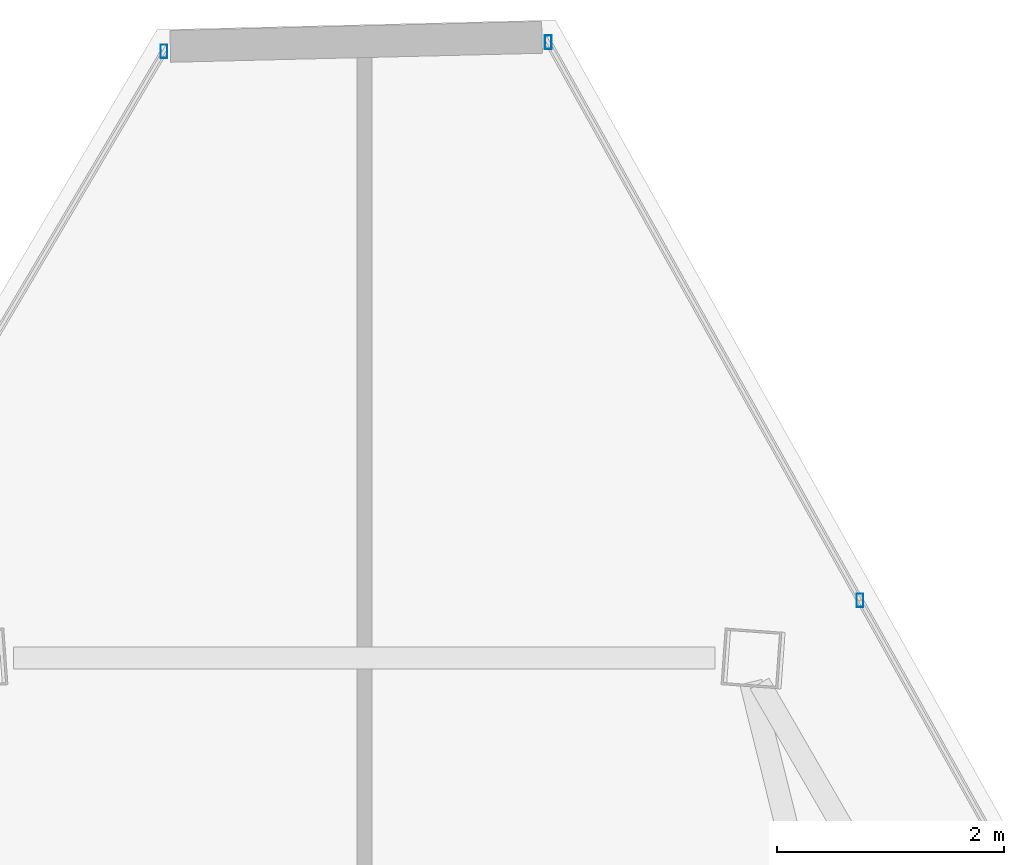
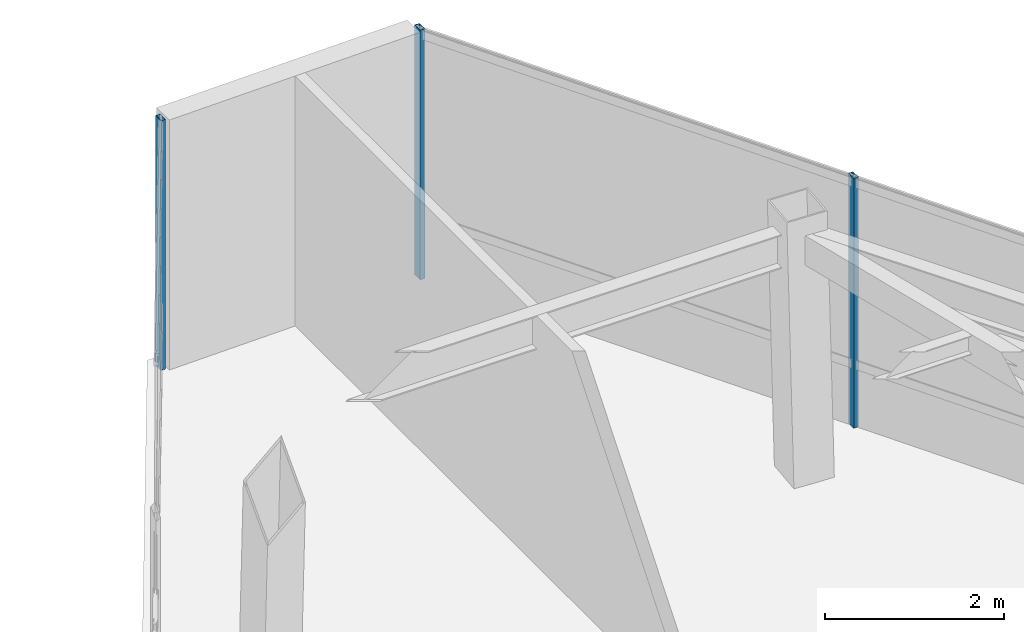
# One storey, part 37 of 45: 3 members, 2 elements without a shape of their own.
"""IFC4 building model written with IfcOpenShell, lengths in metres."""

import ifcopenshell
import ifcopenshell.guid

model = None  # the IFC model being written
_history = None  # IfcOwnerHistory: only IFC2X3 demands one
_inside = {}  # id of a spatial element -> (the spatial element, [elements in it])
_under = {}  # id of a project, library or spatial element -> (it, [spatial elements below it])
_declared = {}  # id of a project -> (the project, [libraries it declares])
_typed = {}  # id of a type object -> (the type object, [elements of that type])
_made_of = {}  # id of a material, layer set ... -> (it, [elements and type objects made of it])


def new_model(schema):
    """Start an empty IFC model of exactly this schema.

    Asked for "IFC4X3", IfcOpenShell would pick the latest addendum, in which some entities
    have other attributes; the version numbers below select the first issue.
    IFC2X3 requires an IfcOwnerHistory on every rooted entity: one is made here for all.
    """
    global model, _history
    if schema == "IFC4X3":
        model = ifcopenshell.file(schema_version=(4, 3, 0, 0))
    else:
        model = ifcopenshell.file(schema=schema)
    _inside.clear()
    _under.clear()
    _declared.clear()
    _typed.clear()
    _made_of.clear()
    _history = None
    if model.schema == "IFC2X3":
        org = make("IfcOrganization", Name="unknown")
        user = make(
            "IfcPersonAndOrganization",
            ThePerson=make("IfcPerson", FamilyName="unknown"),
            TheOrganization=org,
        )
        app = make(
            "IfcApplication",
            ApplicationDeveloper=org,
            Version="unknown",
            ApplicationFullName="unknown",
            ApplicationIdentifier="unknown",
        )
        _history = make(
            "IfcOwnerHistory",
            OwningUser=user,
            OwningApplication=app,
            ChangeAction="ADDED",
            CreationDate=0,
        )
    return model


def make(cls, **values):
    """One entity of the class cls with the attributes given. An attribute that is None is left unset."""
    return model.create_entity(
        cls, **{name: value for name, value in values.items() if value is not None}
    )


def rooted(cls, **values):
    """An entity with a GlobalId (a new one), such as an element, a storey or a relation."""
    return make(cls, GlobalId=ifcopenshell.guid.new(), OwnerHistory=_history, **values)


def si_unit(unit_type, name, prefix=None):
    """IfcSIUnit, for example si_unit("LENGTHUNIT", "METRE", prefix="MILLI")."""
    return make("IfcSIUnit", UnitType=unit_type, Prefix=prefix, Name=name)


def assignment(units):
    """IfcUnitAssignment: the units of a project."""
    return None if units is None else make("IfcUnitAssignment", Units=units)


def point(xyz):
    """IfcCartesianPoint."""
    return None if xyz is None else make("IfcCartesianPoint", Coordinates=xyz)


def direction(xyz):
    """IfcDirection."""
    return None if xyz is None else make("IfcDirection", DirectionRatios=xyz)


def frame(location, z_axis=None, x_axis=None):
    """IfcAxis2Placement3D, a coordinate frame: its origin and axes. An axis left out is left unset."""
    return make(
        "IfcAxis2Placement3D",
        Location=point(location),
        Axis=direction(z_axis),
        RefDirection=direction(x_axis),
    )


def frame_2d(location, x_axis=None):
    """IfcAxis2Placement2D, a coordinate frame in the plane: its origin and x axis."""
    return make(
        "IfcAxis2Placement2D", Location=point(location), RefDirection=direction(x_axis)
    )


def origin():
    """The frame at (0, 0, 0) with its axes left unset."""
    return frame((0.0, 0.0, 0.0))


def origin_2d():
    """The frame at (0, 0) in the plane with its x axis left unset."""
    return frame_2d((0.0, 0.0))


def place(relative_to, where):
    """IfcLocalPlacement: puts the frame where relative to a parent placement (None: the world)."""
    return make(
        "IfcLocalPlacement", PlacementRelTo=relative_to, RelativePlacement=where
    )


def context(
    kind, dimensions, precision=None, world=None, true_north=None, identifier=None
):
    """IfcGeometricRepresentationContext, for example the 3D "Model" context."""
    return make(
        "IfcGeometricRepresentationContext",
        ContextIdentifier=identifier,
        ContextType=kind,
        CoordinateSpaceDimension=dimensions,
        Precision=precision,
        WorldCoordinateSystem=world,
        TrueNorth=true_north,
    )


def subcontext(parent, identifier, kind, view, scale=None):
    """IfcGeometricRepresentationSubContext, for example "Body" below "Model"."""
    return make(
        "IfcGeometricRepresentationSubContext",
        ContextIdentifier=identifier,
        ContextType=kind,
        ParentContext=parent,
        TargetScale=scale,
        TargetView=view,
    )


def project(units=None, contexts=None):
    """IfcProject with its units and contexts."""
    return rooted(
        "IfcProject",
        Name="project",
        RepresentationContexts=contexts,
        UnitsInContext=assignment(units),
    )


def spatial(cls, under=None, at=None, **own):
    """A site, building, storey or space (cls), placed at a placement, below another one or the project."""
    s = rooted(cls, ObjectPlacement=at, **own)
    if under is not None:
        _under.setdefault(under.id(), (under, []))[1].append(s)
    return s


def profile(cls, at=None, kind="AREA", **sizes):
    """A parametric profile (cls). Its sizes go by their IFC names, for example OverallWidth=200.0."""
    return make(cls, ProfileType=kind, Position=at, **sizes)


def hollow_rectangle(**sizes):
    """IfcRectangleHollowProfileDef."""
    return profile("IfcRectangleHollowProfileDef", **sizes)


def extrude(swept, where, along, depth):
    """IfcExtrudedAreaSolid: the profile swept, set in the frame where, extruded along a direction by depth."""
    return make(
        "IfcExtrudedAreaSolid",
        SweptArea=swept,
        Position=where,
        ExtrudedDirection=direction(along),
        Depth=depth,
    )


def shape(context_of_items, identifier, shape_type, items):
    """IfcShapeRepresentation: the items that make up one representation, for example the "Body"."""
    return make(
        "IfcShapeRepresentation",
        ContextOfItems=context_of_items,
        RepresentationIdentifier=identifier,
        RepresentationType=shape_type,
        Items=items,
    )


def source(mapping_origin, context_of_items, identifier, shape_type, items):
    """IfcRepresentationMap: a shape defined once, which mapped items show again and again."""
    return make(
        "IfcRepresentationMap",
        MappingOrigin=mapping_origin,
        MappedRepresentation=shape(context_of_items, identifier, shape_type, items),
    )


def transform(
    local_origin,
    x_axis=None,
    y_axis=None,
    z_axis=None,
    scale=None,
    scale2=None,
    scale3=None,
    uniform=True,
):
    """IfcCartesianTransformationOperator3D, or its non-uniform kind. x_axis, y_axis, z_axis: its Axis1, 2, 3."""
    if uniform:
        return make(
            "IfcCartesianTransformationOperator3D",
            Axis1=direction(x_axis),
            Axis2=direction(y_axis),
            LocalOrigin=point(local_origin),
            Scale=scale,
            Axis3=direction(z_axis),
        )
    return make(
        "IfcCartesianTransformationOperator3DnonUniform",
        Axis1=direction(x_axis),
        Axis2=direction(y_axis),
        LocalOrigin=point(local_origin),
        Scale=scale,
        Axis3=direction(z_axis),
        Scale2=scale2,
        Scale3=scale3,
    )


def mapped(mapping_source, mapping_target):
    """IfcMappedItem: shows the shape of a source again, moved by a transform."""
    return make(
        "IfcMappedItem", MappingSource=mapping_source, MappingTarget=mapping_target
    )


def material(Name=None, Category=None):
    """IfcMaterial."""
    return make("IfcMaterial", Name=Name, Category=Category)


def material_profile(
    of_material, cross_section, Name=None, Category=None, Priority=None
):
    """IfcMaterialProfile: a cross section and its material."""
    return make(
        "IfcMaterialProfile",
        Name=Name,
        Material=of_material,
        Profile=cross_section,
        Priority=Priority,
        Category=Category,
    )


def profile_set(profiles, Name=None, composite=None):
    """IfcMaterialProfileSet."""
    return make(
        "IfcMaterialProfileSet",
        Name=Name,
        MaterialProfiles=profiles,
        CompositeProfile=composite,
    )


def made_of(thing, what):
    """Note that an element or type object is made of a material, layer set ...; save() writes the relation."""
    if what is not None:
        _made_of.setdefault(what.id(), (what, []))[1].append(thing)
    return thing


def type_object(cls, material=None, **own):
    """A type object (cls), such as IfcWallType, which elements share."""
    return made_of(rooted(cls, **own), material)


def type_shapes(of_type, sources):
    """Give a type object the sources (RepresentationMaps) that its elements show as mapped items."""
    of_type.RepresentationMaps = sources


def element(
    cls,
    number,
    at=None,
    inside=None,
    cuts=None,
    type_object=None,
    material=None,
    context=None,
    identifier="Body",
    shape_type=None,
    held_by="IfcProductDefinitionShape",
    body=None,
    shapes=None,
    **own,
):
    """One element of the class cls, such as IfcWall. Its Tag is "e" and its number.

    at: its placement. inside: the storey or other place that contains it. cuts: it is an
    opening in that element (IfcRelVoidsElement). A single representation is given by context,
    identifier, shape_type and body (its items); several are given by shapes. held_by: the class
    of the entity that holds the representations. save() writes the other relations.
    """
    e = rooted(cls, Tag="e%d" % number, ObjectPlacement=at, **own)
    if body is not None:
        shapes = [shape(context, identifier, shape_type, body)]
    if shapes is not None:
        e.Representation = make(held_by, Representations=shapes)
    if inside is not None:
        _inside.setdefault(inside.id(), (inside, []))[1].append(e)
    if cuts is not None:
        rooted(
            "IfcRelVoidsElement", RelatingBuildingElement=cuts, RelatedOpeningElement=e
        )
    if type_object is not None:
        _typed.setdefault(type_object.id(), (type_object, []))[1].append(e)
    return made_of(e, material)


def aggregate(whole, parts):
    """IfcRelAggregates: a whole, such as a stair, and the parts it consists of."""
    return rooted("IfcRelAggregates", RelatingObject=whole, RelatedObjects=parts)


def save(model, path):
    """Write the relations noted so far, then the file.

    IfcRelAggregates (storeys below a building ...), IfcRelContainedInSpatialStructure (elements
    in a storey), IfcRelDefinesByType, IfcRelAssociatesMaterial and IfcRelDeclares: one each for
    every whole, place, type object, material and project.
    """
    for whole, parts in _under.values():
        aggregate(whole, parts)
    for where, things in _inside.values():
        rooted(
            "IfcRelContainedInSpatialStructure",
            RelatedElements=things,
            RelatingStructure=where,
        )
    for kind, things in _typed.values():
        rooted("IfcRelDefinesByType", RelatedObjects=things, RelatingType=kind)
    for what, things in _made_of.values():
        rooted("IfcRelAssociatesMaterial", RelatedObjects=things, RelatingMaterial=what)
    for by, libraries in _declared.values():
        rooted("IfcRelDeclares", RelatingContext=by, RelatedDefinitions=libraries)
    model.write(path)


model = new_model("IFC4")

# Units and contexts
model_context = context("Model", 3, precision=1e-05, world=origin(), true_north=direction((0.0, 1.0)))
body_context = subcontext(model_context, "Body", "Model", "MODEL_VIEW")
ifc_project = project(units=[si_unit("LENGTHUNIT", "METRE"), si_unit("AREAUNIT", "SQUARE_METRE"), si_unit("VOLUMEUNIT", "CUBIC_METRE"), si_unit("PLANEANGLEUNIT", "RADIAN"), si_unit("MASSUNIT", "GRAM", prefix="KILO")], contexts=[model_context])

# Site, building, storey
site_placement = place(None, origin())
site = spatial("IfcSite", under=ifc_project, at=site_placement, CompositionType="ELEMENT")
building_placement = place(site_placement, origin())
building = spatial("IfcBuilding", under=site, at=building_placement, Name="Caelisora Broadcast Tower", CompositionType="ELEMENT")
storey_placement = place(building_placement, frame((0.0, 0.0, 273.64990234375)))
storey = spatial("IfcBuildingStorey", under=building, at=storey_placement, Name="L72", CompositionType="ELEMENT", Elevation=273.64990234375)

# Curtain wall, members
ifc_material_1 = material(Name="Unitised Aluminium and Low-E Glass Curtain Wall", Category="glass")
curtain_wall_type = type_object("IfcCurtainWallType", Name="CW-Z5", PredefinedType="NOTDEFINED", material=ifc_material_1)
curtain_wall_1_placement = place(storey_placement, origin())
curtain_wall_1 = element("IfcCurtainWall", 1, at=curtain_wall_1_placement, inside=storey, type_object=curtain_wall_type, Name="L72 curtain wall CW-Z5", PredefinedType="NOTDEFINED")
ifc_material_2 = material(Name="Aluminium 6063-T6 Anodised Terracotta Bronze", Category="aluminium")
ifc_material_profile = material_profile(ifc_material_2, hollow_rectangle(XDim=0.06005859375, YDim=0.1201171875, WallThickness=0.0029296875, at=origin_2d()), Name="Aluminium 6063-T6 Anodised Terracotta Bronze")
ifc_profile_set = profile_set([ifc_material_profile], Name="Aluminium 6063-T6 Anodised Terracotta Bronze")
member_type = type_object("IfcMemberType", Name="CWM-04", PredefinedType="MULLION", material=ifc_profile_set)
shared_shape = source(origin(), body_context, "Body", "SweptSolid", [
    extrude(hollow_rectangle(XDim=0.06005859375, YDim=0.1201171875, WallThickness=0.0029296875, at=origin_2d()), origin(), (0.0, 0.0, 1.0), 3.400146484375),
])
type_shapes(member_type, [shared_shape])
member_1_placement = place(storey_placement, frame((39.616455078125, 52.12939453125, 0.0), z_axis=(0.0, 0.0, 1.0), x_axis=(1.0, 0.0, 0.0)))
member_1 = element("IfcMember", 2, at=member_1_placement, type_object=member_type, Name="L72-CW-B01 mullion #0", PredefinedType="MULLION", context=body_context, shape_type="MappedRepresentation", body=[
    mapped(shared_shape, transform((0.0, 0.0, 0.0), scale=1.0)),
])
member_2_placement = place(storey_placement, frame((42.360595703125, 47.21728515625, 0.0), z_axis=(0.0, 0.0, 1.0), x_axis=(1.0, 0.0, 0.0)))
member_2 = element("IfcMember", 3, at=member_2_placement, type_object=member_type, Name="L72-CW-B01 mullion #1", PredefinedType="MULLION", context=body_context, shape_type="MappedRepresentation", body=[
    mapped(shared_shape, transform((0.0, 0.0, 0.0), scale=1.0)),
])
aggregate(curtain_wall_1, [member_1, member_2])

# Curtain wall, member
curtain_wall_2_placement = place(storey_placement, origin())
curtain_wall_2 = element("IfcCurtainWall", 4, at=curtain_wall_2_placement, inside=storey, type_object=curtain_wall_type, Name="L72 curtain wall CW-Z5", PredefinedType="NOTDEFINED")
member_3_placement = place(storey_placement, frame((36.235595703125, 52.048828125, 0.0), z_axis=(0.0, 0.0, 1.0), x_axis=(1.0, 0.0, 0.0)))
member_3 = element("IfcMember", 5, at=member_3_placement, type_object=member_type, Name="L72-CW-B11 mullion #3", PredefinedType="MULLION", context=body_context, shape_type="MappedRepresentation", body=[
    mapped(shared_shape, transform((0.0, 0.0, 0.0), scale=1.0)),
])
aggregate(curtain_wall_2, [member_3])

save(model, "model.ifc")
